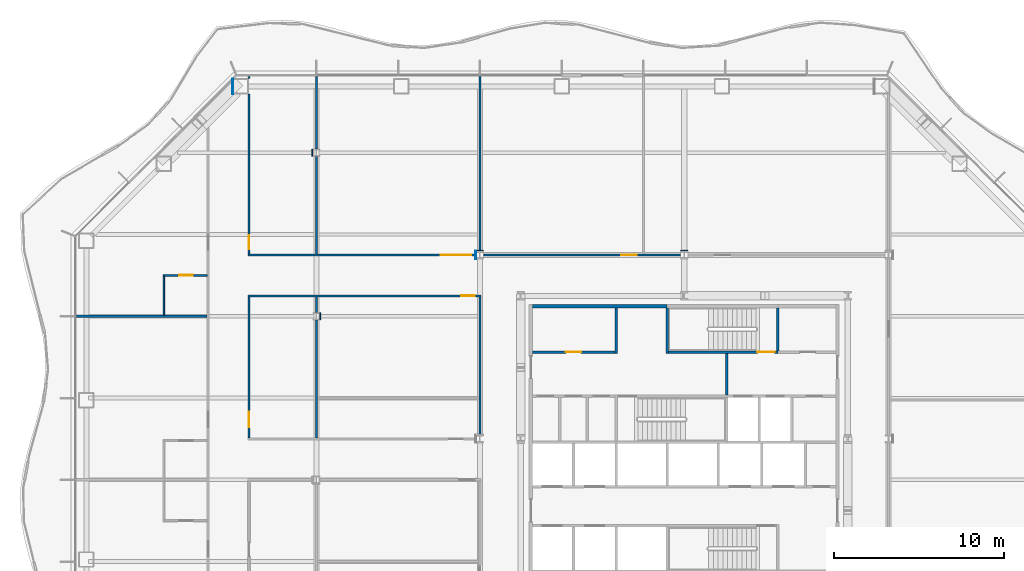
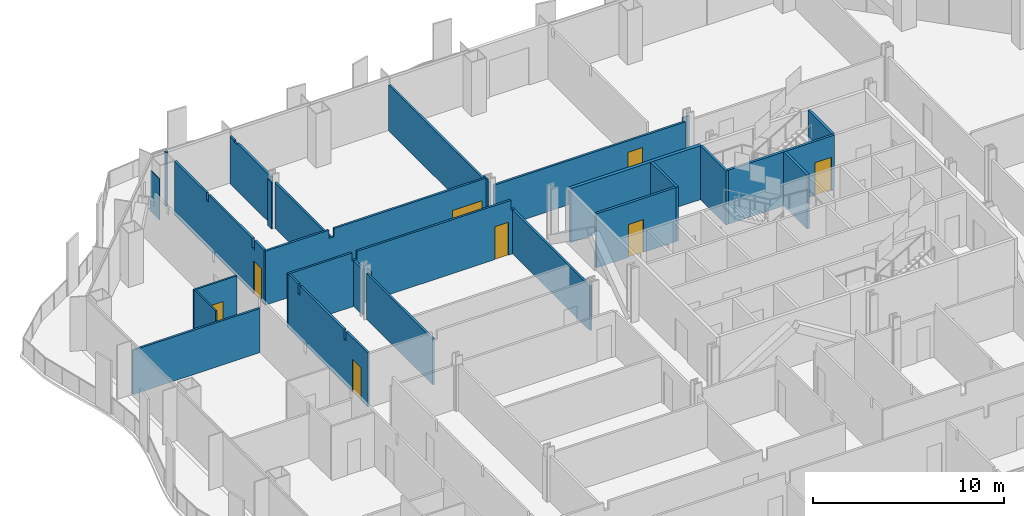
# One storey, part 10 of 18: 28 walls, 8 doors, 8 openings.
"""IFC4 building model written with IfcOpenShell, lengths in metres."""

from ifc_helpers import new_model, si_unit, direction, frame, frame_2d, origin, place, context, subcontext, project, spatial, polyline, rectangle, outline, extrude, material, layer, layer_set, type_object, element, fill, save


model = new_model("IFC4")

# Units and contexts
model_context = context("Model", 3, precision=1e-05, world=origin(), true_north=direction((0.0, 1.0)))
body_context = subcontext(model_context, "Body", "Model", "MODEL_VIEW")
ifc_project = project(units=[si_unit("LENGTHUNIT", "METRE"), si_unit("AREAUNIT", "SQUARE_METRE"), si_unit("VOLUMEUNIT", "CUBIC_METRE"), si_unit("PLANEANGLEUNIT", "RADIAN"), si_unit("MASSUNIT", "GRAM", prefix="KILO")], contexts=[model_context])

# Site, building, storey
site_placement = place(None, origin())
site = spatial("IfcSite", under=ifc_project, at=site_placement, CompositionType="ELEMENT")
building_placement = place(site_placement, origin())
building = spatial("IfcBuilding", under=site, at=building_placement, Name="Cairn Pilgrim Tower", CompositionType="ELEMENT")
storey_placement = place(building_placement, frame((0.0, 0.0, 76.199951171875)))
storey = spatial("IfcBuildingStorey", under=building, at=storey_placement, Name="L17", CompositionType="ELEMENT", Elevation=76.199951171875)

# Wall
ifc_material_1 = material(Name="Concrete C32/40", Category="concrete")
ifc_layer_1 = layer(ifc_material_1, 0.199951171875)
ifc_layer_set_1 = layer_set([ifc_layer_1], Name="CORE OUTER WALL 200 EI 120")
wall_type_1 = type_object("IfcWallType", Name="CORE OUTER WALL 200 EI 120", PredefinedType="SOLIDWALL", material=ifc_layer_set_1)
wall_1_placement = place(storey_placement, frame((-1.699951171875, 10.199951171875, 0.0), z_axis=(0.0, 0.0, 1.0), x_axis=(1.0, 0.0, 0.0)))
element("IfcWall", 1, at=wall_1_placement, inside=storey, type_object=wall_type_1, Name="CW:L17:H11-1", PredefinedType="SOLIDWALL", context=body_context, shape_type="SweptSolid", body=[
    extrude(rectangle(XDim=7.89990234375, YDim=0.199951171875, at=frame_2d((3.949951171875, 0.0))), origin(), (0.0, 0.0, 1.0), 3.449951171875),
])

# Wall, opening, door
ifc_layer_2 = layer(ifc_material_1, 0.14990234375)
ifc_layer_set_2 = layer_set([ifc_layer_2], Name="CORE PARTITION 150 EI 60")
wall_type_2 = type_object("IfcWallType", Name="CORE PARTITION 150 EI 60", PredefinedType="PARTITIONING", material=ifc_layer_set_2)
wall_2_placement = place(storey_placement, frame((-1.699951171875, 7.5, 0.0), z_axis=(0.0, 0.0, 1.0), x_axis=(1.0, 0.0, 0.0)))
wall_2 = element("IfcWall", 2, at=wall_2_placement, inside=storey, type_object=wall_type_2, Name="CW:L17:H09", PredefinedType="PARTITIONING", context=body_context, shape_type="SweptSolid", body=[
    extrude(rectangle(XDim=4.824951171875, YDim=0.14990234375, at=frame_2d((2.41259765625, 0.0))), origin(), (0.0, 0.0, 1.0), 3.449951171875),
])
opening_1_placement = place(wall_2_placement, frame((1.949951171875, 0.0, 0.0)))
opening_1 = element("IfcOpeningElement", 3, at=opening_1_placement, cuts=wall_2, Name="Opening RD-R4W1", PredefinedType="OPENING", context=body_context, shape_type="SweptSolid", body=[
    extrude(rectangle(XDim=0.89990234375, YDim=2.10009765625, at=frame_2d((0.449951171875, 1.050048828125))), frame((0.0, 0.0849609375, 0.0), z_axis=(0.0, -1.0, 0.0), x_axis=(1.0, 0.0, 0.0)), (0.0, 0.0, 1.0), 0.169921875),
])
ifc_material_2 = material(Name="Painted steel", Category="steel")
door_type_1 = type_object("IfcDoorType", Name="SERVICE ROOM DOOR 900x2100", OperationType="SINGLE_SWING_LEFT", PredefinedType="DOOR", material=ifc_material_2)
door_1_placement = place(opening_1_placement, origin())
door_1 = element("IfcDoor", 4, at=door_1_placement, inside=storey, type_object=door_type_1, Name="RD-R4W1", OperationType="SINGLE_SWING_LEFT", OverallHeight=2.10009765625, OverallWidth=0.89990234375, PredefinedType="DOOR", context=body_context, shape_type="SweptSolid", body=[
    extrude(rectangle(XDim=0.89990234375, YDim=2.10009765625, at=frame_2d((0.449951171875, 1.050048828125))), frame((0.0, 0.02490234375, 0.0), z_axis=(0.0, -1.0, 0.0), x_axis=(1.0, 0.0, 0.0)), (0.0, 0.0, 1.0), 0.050048828125),
])
fill(opening_1, door_1)

# Walls
wall_3_placement = place(storey_placement, frame((3.199951171875, 7.425048828125, 0.0), z_axis=(0.0, 0.0, 1.0), x_axis=(0.0, 1.0, 0.0)))
element("IfcWall", 5, at=wall_3_placement, inside=storey, type_object=wall_type_2, Name="CW:L17:V20", PredefinedType="PARTITIONING", context=body_context, shape_type="SweptSolid", body=[
    extrude(rectangle(XDim=2.675048828125, YDim=0.14990234375, at=frame_2d((1.33740234375, 0.0))), origin(), (0.0, 0.0, 1.0), 3.449951171875),
])
ifc_layer_3 = layer(ifc_material_1, 0.14990234375)
ifc_layer_set_3 = layer_set([ifc_layer_3], Name="CORE SHAFT WALL 150 EI 120")
wall_type_3 = type_object("IfcWallType", Name="CORE SHAFT WALL 150 EI 120", PredefinedType="SOLIDWALL", material=ifc_layer_set_3)
wall_4_placement = place(storey_placement, frame((9.699951171875, 4.97509765625, 0.0), z_axis=(0.0, 0.0, 1.0), x_axis=(0.0, 1.0, 0.0)))
element("IfcWall", 6, at=wall_4_placement, inside=storey, type_object=wall_type_3, Name="CW:L17:V26", PredefinedType="SOLIDWALL", context=body_context, shape_type="SweptSolid", body=[
    extrude(rectangle(XDim=2.449951171875, YDim=0.14990234375, at=frame_2d((1.22509765625, 0.0))), origin(), (0.0, 0.0, 1.0), 3.449951171875),
])
ifc_material_3 = material(Name="Gypsum partition")
ifc_layer_4 = layer(ifc_material_3, 0.10009765625)
ifc_layer_set_4 = layer_set([ifc_layer_4], Name="PARTITION 100 DRYWALL")
wall_type_4 = type_object("IfcWallType", Name="PARTITION 100 DRYWALL", PredefinedType="PARTITIONING", material=ifc_layer_set_4)
wall_5_placement = place(storey_placement, frame((-23.35009765625, 9.66259765625, 0.0), z_axis=(0.0, 0.0, 1.0), x_axis=(0.0, 1.0, 0.0)))
element("IfcWall", 7, at=wall_5_placement, inside=storey, type_object=wall_type_4, Name="PARTITION W050", PredefinedType="PARTITIONING", context=body_context, shape_type="SweptSolid", body=[
    extrude(outline(polyline([(0.0, 0.0), (2.287353515625, 0.0), (2.28759765625, 3.449951171875), (0.047607421875, 3.449951171875), (0.04541015625, 2.830078125), (0.0, 2.830078125), (0.0, 0.0)])), frame((0.0, 0.050048828125, 0.0), z_axis=(0.0, -1.0, 0.0), x_axis=(1.0, 0.0, 0.0)), (0.0, 0.0, 1.0), 0.10009765625),
])

# Wall, opening, door
wall_6_placement = place(storey_placement, frame((-23.39990234375, 12.0, 0.0), z_axis=(0.0, 0.0, 1.0), x_axis=(1.0, 0.0, 0.0)))
wall_6 = element("IfcWall", 8, at=wall_6_placement, inside=storey, type_object=wall_type_4, Name="PARTITION W053", PredefinedType="PARTITIONING", context=body_context, shape_type="SweptSolid", body=[
    extrude(rectangle(XDim=2.58740234375, YDim=0.10009765625, at=frame_2d((1.293701171875, 0.0))), origin(), (0.0, 0.0, 1.0), 3.449951171875),
])
opening_2_placement = place(wall_6_placement, frame((0.949951171875, 0.0, 0.0)))
opening_2 = element("IfcOpeningElement", 9, at=opening_2_placement, cuts=wall_6, Name="Opening 1709E", PredefinedType="OPENING", context=body_context, shape_type="SweptSolid", body=[
    extrude(rectangle(XDim=0.800048828125, YDim=2.10009765625, at=frame_2d((0.39990234375, 1.050048828125))), frame((0.0, 0.06005859375, 0.0), z_axis=(0.0, -1.0, 0.0), x_axis=(1.0, 0.0, 0.0)), (0.0, 0.0, 1.0), 0.1201171875),
])
ifc_material_4 = material(Name="Timber door leaf", Category="wood")
door_type_2 = type_object("IfcDoorType", Name="DOOR 800x2100", OperationType="NOTDEFINED", PredefinedType="DOOR", material=ifc_material_4)
door_2_placement = place(opening_2_placement, frame((0.800048828125, 0.0, 0.0), z_axis=(0.0, 0.0, 1.0), x_axis=(-1.0, 0.0, 0.0)))
door_2 = element("IfcDoor", 10, at=door_2_placement, inside=storey, type_object=door_type_2, Name="DOOR 1709E", OperationType="SINGLE_SWING_RIGHT", OverallHeight=2.10009765625, OverallWidth=0.800048828125, PredefinedType="DOOR", context=body_context, shape_type="SweptSolid", body=[
    extrude(rectangle(XDim=0.800048828125, YDim=2.10009765625, at=frame_2d((0.39990234375, 1.050048828125))), frame((0.0, 0.02490234375, 0.0), z_axis=(0.0, -1.0, 0.0), x_axis=(1.0, 0.0, 0.0)), (0.0, 0.0, 1.0), 0.050048828125),
])
fill(opening_2, door_2)

ifc_layer_5 = layer(ifc_material_3, 0.125)
ifc_layer_set_5 = layer_set([ifc_layer_5], Name="PARTITION 125 DRYWALL EI 60")
wall_type_5 = type_object("IfcWallType", Name="PARTITION 125 DRYWALL EI 60", PredefinedType="PARTITIONING", material=ifc_layer_set_5)
wall_7_placement = place(storey_placement, frame((-18.35009765625, 2.46240234375, 0.0), z_axis=(0.0, 0.0, 1.0), x_axis=(0.0, 1.0, 0.0)))
wall_7 = element("IfcWall", 11, at=wall_7_placement, inside=storey, type_object=wall_type_5, Name="PARTITION W043", PredefinedType="PARTITIONING", context=body_context, shape_type="SweptSolid", body=[
    extrude(outline(polyline([(0.0, 0.0), (8.275146484375, 0.0), (8.27490234375, 3.449951171875), (7.24755859375, 3.449951171875), (7.24560546875, 2.830078125), (7.027587890625, 2.830078125), (7.025390625, 3.449951171875), (2.447509765625, 3.449951171875), (2.445556640625, 2.830078125), (2.2275390625, 2.830078125), (2.2255859375, 3.449951171875), (0.0, 3.449951171875), (0.0, 0.0)])), frame((0.0, 0.0625, 0.0), z_axis=(0.0, -1.0, 0.0), x_axis=(1.0, 0.0, 0.0)), (0.0, 0.0, 1.0), 0.125),
])
opening_3_placement = place(wall_7_placement, frame((0.637451171875, 0.0, 0.0)))
opening_3 = element("IfcOpeningElement", 12, at=opening_3_placement, cuts=wall_7, Name="Opening 1723", PredefinedType="OPENING", context=body_context, shape_type="SweptSolid", body=[
    extrude(rectangle(XDim=0.89990234375, YDim=2.10009765625, at=frame_2d((0.449951171875, 1.050048828125))), frame((0.0, 0.072509765625, 0.0), z_axis=(0.0, -1.0, 0.0), x_axis=(1.0, 0.0, 0.0)), (0.0, 0.0, 1.0), 0.14501953125),
])
ifc_material_5 = material(Name="Steel-faced fire door leaf", Category="steel")
door_type_3 = type_object("IfcDoorType", Name="FIRE DOOR 900x2100 FD30S", OperationType="NOTDEFINED", PredefinedType="DOOR", material=ifc_material_5)
door_3_placement = place(opening_3_placement, frame((0.89990234375, 0.0, 0.0), z_axis=(0.0, 0.0, 1.0), x_axis=(-1.0, 0.0, 0.0)))
door_3 = element("IfcDoor", 13, at=door_3_placement, inside=storey, type_object=door_type_3, Name="DOOR 1723", OperationType="SINGLE_SWING_RIGHT", OverallHeight=2.10009765625, OverallWidth=0.89990234375, PredefinedType="DOOR", context=body_context, shape_type="SweptSolid", body=[
    extrude(rectangle(XDim=0.89990234375, YDim=2.10009765625, at=frame_2d((0.449951171875, 1.050048828125))), frame((0.0, 0.02490234375, 0.0), z_axis=(0.0, -1.0, 0.0), x_axis=(1.0, 0.0, 0.0)), (0.0, 0.0, 1.0), 0.050048828125),
])
fill(opening_3, door_3)

# Walls
wall_8_placement = place(storey_placement, frame((-14.39990234375, 2.46240234375, 0.0), z_axis=(0.0, 0.0, 1.0), x_axis=(0.0, 1.0, 0.0)))
element("IfcWall", 14, at=wall_8_placement, inside=storey, type_object=wall_type_5, Name="PARTITION W044", PredefinedType="PARTITIONING", context=body_context, shape_type="SweptSolid", body=[
    extrude(rectangle(XDim=6.925048828125, YDim=0.125, at=frame_2d((3.46240234375, 0.0))), origin(), (0.0, 0.0, 1.0), 2.929931640625),
])
wall_9_placement = place(storey_placement, frame((-4.800048828125, 2.636962890625, 0.0), z_axis=(0.0, 0.0, 1.0), x_axis=(0.0, 1.0, 0.0)))
element("IfcWall", 15, at=wall_9_placement, inside=storey, type_object=wall_type_5, Name="PARTITION W045", PredefinedType="PARTITIONING", context=body_context, shape_type="SweptSolid", body=[
    extrude(rectangle(XDim=8.1005859375, YDim=0.125, at=frame_2d((4.05029296875, 0.0))), origin(), (0.0, 0.0, 1.0), 2.830078125),
])
wall_10_placement = place(storey_placement, frame((-28.489990234375, 9.60009765625, 0.0), z_axis=(0.0, 0.0, 1.0), x_axis=(1.0, 0.0, 0.0)))
element("IfcWall", 16, at=wall_10_placement, inside=storey, type_object=wall_type_5, Name="PARTITION W049", PredefinedType="PARTITIONING", context=body_context, shape_type="SweptSolid", body=[
    extrude(rectangle(XDim=7.677490234375, YDim=0.125, at=frame_2d((3.8388671875, 0.0))), origin(), (0.0, 0.0, 1.0), 2.830078125),
])
wall_11_placement = place(storey_placement, frame((-14.39990234375, 9.8125, 0.0), z_axis=(0.0, 0.0, 1.0), x_axis=(0.0, 1.0, 0.0)))
element("IfcWall", 17, at=wall_11_placement, inside=storey, type_object=wall_type_5, Name="PARTITION W051", PredefinedType="PARTITIONING", context=body_context, shape_type="SweptSolid", body=[
    extrude(rectangle(XDim=0.925048828125, YDim=0.125, at=frame_2d((0.46240234375, 0.0))), origin(), (0.0, 0.0, 1.0), 2.929931640625),
])

# Wall, opening, door
wall_12_placement = place(storey_placement, frame((-18.41259765625, 10.800048828125, 0.0), z_axis=(0.0, 0.0, 1.0), x_axis=(1.0, 0.0, 0.0)))
wall_12 = element("IfcWall", 18, at=wall_12_placement, inside=storey, type_object=wall_type_5, Name="PARTITION W052", PredefinedType="PARTITIONING", context=body_context, shape_type="SweptSolid", body=[
    extrude(outline(polyline([(0.0, 0.0), (13.675048828125, 0.0), (13.675048828125, 2.830078125), (13.46240234375, 2.830078125), (13.46044921875, 3.449951171875), (4.16259765625, 3.449951171875), (4.160400390625, 2.929931640625), (3.862548828125, 2.929931640625), (3.860595703125, 3.449951171875), (0.0, 3.449951171875), (0.0, 0.0)])), frame((0.0, 0.0625, 0.0), z_axis=(0.0, -1.0, 0.0), x_axis=(1.0, 0.0, 0.0)), (0.0, 0.0, 1.0), 0.125),
])
opening_4_placement = place(wall_12_placement, frame((12.512451171875, 0.0, 0.0)))
opening_4 = element("IfcOpeningElement", 19, at=opening_4_placement, cuts=wall_12, Name="Opening 1721", PredefinedType="OPENING", context=body_context, shape_type="SweptSolid", body=[
    extrude(rectangle(XDim=0.800048828125, YDim=2.10009765625, at=frame_2d((0.39990234375, 1.050048828125))), frame((0.0, 0.072509765625, 0.0), z_axis=(0.0, -1.0, 0.0), x_axis=(1.0, 0.0, 0.0)), (0.0, 0.0, 1.0), 0.14501953125),
])
door_type_4 = type_object("IfcDoorType", Name="FIRE DOOR 800x2100 FD30S", OperationType="NOTDEFINED", PredefinedType="DOOR", material=ifc_material_5)
door_4_placement = place(opening_4_placement, frame((0.800048828125, 0.0, 0.0), z_axis=(0.0, 0.0, 1.0), x_axis=(-1.0, 0.0, 0.0)))
door_4 = element("IfcDoor", 20, at=door_4_placement, inside=storey, type_object=door_type_4, Name="DOOR 1721", OperationType="SINGLE_SWING_RIGHT", OverallHeight=2.10009765625, OverallWidth=0.800048828125, PredefinedType="DOOR", context=body_context, shape_type="SweptSolid", body=[
    extrude(rectangle(XDim=0.800048828125, YDim=2.10009765625, at=frame_2d((0.39990234375, 1.050048828125))), frame((0.0, 0.02490234375, 0.0), z_axis=(0.0, -1.0, 0.0), x_axis=(1.0, 0.0, 0.0)), (0.0, 0.0, 1.0), 0.050048828125),
])
fill(opening_4, door_4)

wall_13_placement = place(storey_placement, frame((-18.41259765625, 13.199951171875, 0.0), z_axis=(0.0, 0.0, 1.0), x_axis=(1.0, 0.0, 0.0)))
wall_13 = element("IfcWall", 21, at=wall_13_placement, inside=storey, type_object=wall_type_5, Name="PARTITION W054", PredefinedType="PARTITIONING", context=body_context, shape_type="SweptSolid", body=[
    extrude(outline(polyline([(0.0, 0.0), (13.400634765625, 0.0), (13.400390625, 3.449951171875), (4.16259765625, 3.449951171875), (4.160400390625, 2.929931640625), (3.862548828125, 2.929931640625), (3.860595703125, 3.449951171875), (0.0, 3.449951171875), (0.0, 0.0)])), frame((0.0, 0.0625, 0.0), z_axis=(0.0, -1.0, 0.0), x_axis=(1.0, 0.0, 0.0)), (0.0, 0.0, 1.0), 0.125),
])
opening_5_placement = place(wall_13_placement, frame((11.3125, 0.0, 0.0)))
opening_5 = element("IfcOpeningElement", 22, at=opening_5_placement, cuts=wall_13, Name="Opening 1711", PredefinedType="OPENING", context=body_context, shape_type="SweptSolid", body=[
    extrude(rectangle(XDim=1.800048828125, YDim=2.10009765625, at=frame_2d((0.89990234375, 1.050048828125))), frame((0.0, 0.072509765625, 0.0), z_axis=(0.0, -1.0, 0.0), x_axis=(1.0, 0.0, 0.0)), (0.0, 0.0, 1.0), 0.14501953125),
])
door_type_5 = type_object("IfcDoorType", Name="DOOR PAIR 1800x2100 FD30S", OperationType="NOTDEFINED", PredefinedType="DOOR", material=ifc_material_4)
door_5_placement = place(opening_5_placement, origin())
door_5 = element("IfcDoor", 23, at=door_5_placement, inside=storey, type_object=door_type_5, Name="DOOR 1711", OperationType="DOUBLE_DOOR_SINGLE_SWING", OverallHeight=2.10009765625, OverallWidth=1.800048828125, PredefinedType="DOOR", context=body_context, shape_type="SweptSolid", body=[
    extrude(rectangle(XDim=1.800048828125, YDim=2.10009765625, at=frame_2d((0.89990234375, 1.050048828125))), frame((0.0, 0.02490234375, 0.0), z_axis=(0.0, -1.0, 0.0), x_axis=(1.0, 0.0, 0.0)), (0.0, 0.0, 1.0), 0.050048828125),
])
fill(opening_5, door_5)

wall_14_placement = place(storey_placement, frame((-4.587890625, 13.199951171875, 0.0), z_axis=(0.0, 0.0, 1.0), x_axis=(1.0, 0.0, 0.0)))
wall_14 = element("IfcWall", 24, at=wall_14_placement, inside=storey, type_object=wall_type_5, Name="PARTITION W055", PredefinedType="PARTITIONING", context=body_context, shape_type="SweptSolid", body=[
    extrude(rectangle(XDim=11.575927734375, YDim=0.125, at=frame_2d((5.7880859375, 0.0))), origin(), (0.0, 0.0, 1.0), 2.830078125),
])
opening_6_placement = place(wall_14_placement, frame((8.087890625, 0.0, 0.0)))
opening_6 = element("IfcOpeningElement", 25, at=opening_6_placement, cuts=wall_14, Name="Opening 1712", PredefinedType="OPENING", context=body_context, shape_type="SweptSolid", body=[
    extrude(rectangle(XDim=0.89990234375, YDim=2.10009765625, at=frame_2d((0.449951171875, 1.050048828125))), frame((0.0, 0.072509765625, 0.0), z_axis=(0.0, -1.0, 0.0), x_axis=(1.0, 0.0, 0.0)), (0.0, 0.0, 1.0), 0.14501953125),
])
door_6_placement = place(opening_6_placement, origin())
door_6 = element("IfcDoor", 26, at=door_6_placement, inside=storey, type_object=door_type_3, Name="DOOR 1712", OperationType="SINGLE_SWING_LEFT", OverallHeight=2.10009765625, OverallWidth=0.89990234375, PredefinedType="DOOR", context=body_context, shape_type="SweptSolid", body=[
    extrude(rectangle(XDim=0.89990234375, YDim=2.10009765625, at=frame_2d((0.449951171875, 1.050048828125))), frame((0.0, 0.02490234375, 0.0), z_axis=(0.0, -1.0, 0.0), x_axis=(1.0, 0.0, 0.0)), (0.0, 0.0, 1.0), 0.050048828125),
])
fill(opening_6, door_6)

wall_15_placement = place(storey_placement, frame((-18.35009765625, 13.262451171875, 0.0), z_axis=(0.0, 0.0, 1.0), x_axis=(0.0, 1.0, 0.0)))
wall_15 = element("IfcWall", 27, at=wall_15_placement, inside=storey, type_object=wall_type_5, Name="PARTITION W057", PredefinedType="PARTITIONING", context=body_context, shape_type="SweptSolid", body=[
    extrude(outline(polyline([(0.0, 0.0), (9.387451171875, 0.0), (9.387451171875, 3.449951171875), (6.032470703125, 3.449951171875), (6.030517578125, 2.97998046875), (5.842529296875, 2.97998046875), (5.840576171875, 3.449951171875), (1.24755859375, 3.449951171875), (1.24560546875, 2.830078125), (1.027587890625, 2.830078125), (1.025390625, 3.449951171875), (0.0, 3.449951171875), (0.0, 0.0)])), frame((0.0, 0.0625, 0.0), z_axis=(0.0, -1.0, 0.0), x_axis=(1.0, 0.0, 0.0)), (0.0, 0.0, 1.0), 0.125),
])
opening_7_placement = place(wall_15_placement, frame((0.28759765625, 0.0, 0.0)))
opening_7 = element("IfcOpeningElement", 28, at=opening_7_placement, cuts=wall_15, Name="Opening 1710", PredefinedType="OPENING", context=body_context, shape_type="SweptSolid", body=[
    extrude(rectangle(XDim=0.800048828125, YDim=2.10009765625, at=frame_2d((0.39990234375, 1.050048828125))), frame((0.0, 0.072509765625, 0.0), z_axis=(0.0, -1.0, 0.0), x_axis=(1.0, 0.0, 0.0)), (0.0, 0.0, 1.0), 0.14501953125),
])
door_7_placement = place(opening_7_placement, frame((0.800048828125, 0.0, 0.0), z_axis=(0.0, 0.0, 1.0), x_axis=(-1.0, 0.0, 0.0)))
door_7 = element("IfcDoor", 29, at=door_7_placement, inside=storey, type_object=door_type_4, Name="DOOR 1710", OperationType="SINGLE_SWING_LEFT", OverallHeight=2.10009765625, OverallWidth=0.800048828125, PredefinedType="DOOR", context=body_context, shape_type="SweptSolid", body=[
    extrude(rectangle(XDim=0.800048828125, YDim=2.10009765625, at=frame_2d((0.39990234375, 1.050048828125))), frame((0.0, 0.02490234375, 0.0), z_axis=(0.0, -1.0, 0.0), x_axis=(1.0, 0.0, 0.0)), (0.0, 0.0, 1.0), 0.050048828125),
])
fill(opening_7, door_7)

# Walls
wall_16_placement = place(storey_placement, frame((-14.39990234375, 13.262451171875, 0.0), z_axis=(0.0, 0.0, 1.0), x_axis=(0.0, 1.0, 0.0)))
element("IfcWall", 30, at=wall_16_placement, inside=storey, type_object=wall_type_5, Name="PARTITION W058", PredefinedType="PARTITIONING", context=body_context, shape_type="SweptSolid", body=[
    extrude(rectangle(XDim=5.72509765625, YDim=0.125, at=frame_2d((2.862548828125, 0.0))), origin(), (0.0, 0.0, 1.0), 2.929931640625),
])
wall_17_placement = place(storey_placement, frame((-4.800048828125, 13.43701171875, 0.0), z_axis=(0.0, 0.0, 1.0), x_axis=(0.0, 1.0, 0.0)))
element("IfcWall", 31, at=wall_17_placement, inside=storey, type_object=wall_type_5, Name="PARTITION W060", PredefinedType="PARTITIONING", context=body_context, shape_type="SweptSolid", body=[
    extrude(rectangle(XDim=10.2529296875, YDim=0.125, at=frame_2d((5.12646484375, 0.0))), origin(), (0.0, 0.0, 1.0), 2.929931640625),
])
wall_18_placement = place(storey_placement, frame((-14.39990234375, 19.41259765625, 0.0), z_axis=(0.0, 0.0, 1.0), x_axis=(0.0, 1.0, 0.0)))
element("IfcWall", 32, at=wall_18_placement, inside=storey, type_object=wall_type_5, Name="PARTITION W062", PredefinedType="PARTITIONING", context=body_context, shape_type="SweptSolid", body=[
    extrude(outline(polyline([(0.0, 0.0), (4.27734375, 0.0), (4.277587890625, 3.030029296875), (3.83740234375, 3.030029296875), (3.83544921875, 2.929931640625), (3.53759765625, 2.929931640625), (3.535400390625, 3.030029296875), (0.0, 3.030029296875), (0.0, 0.0)])), frame((0.0, 0.0625, 0.0), z_axis=(0.0, -1.0, 0.0), x_axis=(1.0, 0.0, 0.0)), (0.0, 0.0, 1.0), 0.125),
])
wall_19_placement = place(storey_placement, frame((-18.35009765625, 23.550048828125, 0.0), z_axis=(0.0, 0.0, 1.0), x_axis=(0.0, 1.0, 0.0)))
element("IfcWall", 33, at=wall_19_placement, inside=storey, type_object=wall_type_5, Name="PARTITION W063", PredefinedType="PARTITIONING", context=body_context, shape_type="SweptSolid", body=[
    extrude(rectangle(XDim=0.139892578125, YDim=0.125, at=frame_2d((0.06982421875, 0.0))), origin(), (0.0, 0.0, 1.0), 3.449951171875),
])
ifc_layer_6 = layer(ifc_material_3, 0.050048828125)
ifc_layer_set_6 = layer_set([ifc_layer_6], Name="PARTITION 50 DRYWALL EI 60")
wall_type_6 = type_object("IfcWallType", Name="PARTITION 50 DRYWALL EI 60", PredefinedType="PARTITIONING", material=ifc_layer_set_6)
wall_20_placement = place(storey_placement, frame((-14.17041015625, 9.387451171875, 0.0), z_axis=(0.0, 0.0, 1.0), x_axis=(0.0, 1.0, 0.0)))
element("IfcWall", 34, at=wall_20_placement, inside=storey, type_object=wall_type_6, Name="COLUMN CASING WC16", PredefinedType="PARTITIONING", context=body_context, shape_type="SweptSolid", body=[
    extrude(rectangle(XDim=0.425048828125, YDim=0.050048828125, at=frame_2d((0.21240234375, 0.0))), origin(), (0.0, 0.0, 1.0), 2.929931640625),
])
for number, where, z_axis, x_axis, name in (
    (35, (-5.011962890625, 13.4619140625, 0.0), (0.0, 0.0, 1.0), (1.0, 0.0, 0.0), "COLUMN CASING WC20"),
    (36, (6.988037109375, 13.4619140625, 0.0), (0.0, 0.0, 1.0), (1.0, 0.0, 0.0), "COLUMN CASING WC21"),
):
    element("IfcWall", number, at=place(storey_placement, frame(where, z_axis=z_axis, x_axis=x_axis)), inside=storey, type_object=wall_type_6, Name=name, PredefinedType="PARTITIONING", context=body_context, shape_type="SweptSolid", body=[
        extrude(rectangle(XDim=0.424072265625, YDim=0.050048828125, at=frame_2d((0.2119140625, 0.0))), origin(), (0.0, 0.0, 1.0), 2.929931640625),
    ])
wall_21_placement = place(storey_placement, frame((-19.30224609375, 22.64990234375, 0.0), z_axis=(0.0, 0.0, 1.0), x_axis=(0.0, 1.0, 0.0)))
element("IfcWall", 37, at=wall_21_placement, inside=storey, type_object=wall_type_6, Name="COLUMN CASING WC24", PredefinedType="PARTITIONING", context=body_context, shape_type="SweptSolid", body=[
    extrude(rectangle(XDim=0.900146484375, YDim=0.050048828125, at=frame_2d((0.4501953125, 0.0))), origin(), (0.0, 0.0, 1.0), 2.630126953125),
])
wall_22_placement = place(storey_placement, frame((-14.62939453125, 18.987548828125, 0.0), z_axis=(0.0, 0.0, 1.0), x_axis=(0.0, 1.0, 0.0)))
element("IfcWall", 38, at=wall_22_placement, inside=storey, type_object=wall_type_6, Name="COLUMN CASING WC25", PredefinedType="PARTITIONING", context=body_context, shape_type="SweptSolid", body=[
    extrude(rectangle(XDim=0.425048828125, YDim=0.050048828125, at=frame_2d((0.21240234375, 0.0))), origin(), (0.0, 0.0, 1.0), 2.97998046875),
])
wall_23_placement = place(storey_placement, frame((-5.037109375, 12.962890625, 0.0), z_axis=(0.0, 0.0, 1.0), x_axis=(0.0, 1.0, 0.0)))
element("IfcWall", 39, at=wall_23_placement, inside=storey, type_object=wall_type_6, Name="COLUMN CASING WC26", PredefinedType="PARTITIONING", context=body_context, shape_type="SweptSolid", body=[
    extrude(rectangle(XDim=0.47412109375, YDim=0.050048828125, at=frame_2d((0.237060546875, 0.0))), origin(), (0.0, 0.0, 1.0), 3.449951171875),
])

# Wall, opening, door
ifc_material_6 = material(Name="Concrete C35/45", Category="concrete")
ifc_layer_7 = layer(ifc_material_6, 0.14990234375)
ifc_layer_set_7 = layer_set([ifc_layer_7], Name="STAIR SHAFT WALL 150 EI 120")
wall_type_7 = type_object("IfcWallType", Name="STAIR SHAFT WALL 150 EI 120", PredefinedType="SOLIDWALL", material=ifc_layer_set_7)
wall_24_placement = place(storey_placement, frame((6.27490234375, 7.5, 0.0), z_axis=(0.0, 0.0, 1.0), x_axis=(1.0, 0.0, 0.0)))
wall_24 = element("IfcWall", 40, at=wall_24_placement, inside=storey, type_object=wall_type_7, Name="CW:L17:H10-1", PredefinedType="SOLIDWALL", context=body_context, shape_type="SweptSolid", body=[
    extrude(rectangle(XDim=6.425048828125, YDim=0.14990234375, at=frame_2d((3.21240234375, 0.0))), origin(), (0.0, 0.0, 1.0), 3.449951171875),
])
opening_8_placement = place(wall_24_placement, frame((5.22509765625, 0.0, 0.0)))
opening_8 = element("IfcOpeningElement", 41, at=opening_8_placement, cuts=wall_24, Name="Opening SD-C", PredefinedType="OPENING", context=body_context, shape_type="SweptSolid", body=[
    extrude(rectangle(XDim=1.0, YDim=2.10009765625, at=frame_2d((0.5, 1.050048828125))), frame((0.0, 0.0849609375, 0.0), z_axis=(0.0, -1.0, 0.0), x_axis=(1.0, 0.0, 0.0)), (0.0, 0.0, 1.0), 0.169921875),
])
door_type_6 = type_object("IfcDoorType", Name="STAIR DOOR FD60S 1000x2100", OperationType="SINGLE_SWING_LEFT", PredefinedType="DOOR", material=ifc_material_2)
door_8_placement = place(opening_8_placement, origin())
door_8 = element("IfcDoor", 42, at=door_8_placement, inside=storey, type_object=door_type_6, Name="SD-C", OperationType="SINGLE_SWING_RIGHT", OverallHeight=2.10009765625, OverallWidth=1.0, PredefinedType="DOOR", context=body_context, shape_type="SweptSolid", body=[
    extrude(rectangle(XDim=1.0, YDim=2.10009765625, at=frame_2d((0.5, 1.050048828125))), frame((0.0, 0.02490234375, 0.0), z_axis=(0.0, -1.0, 0.0), x_axis=(1.0, 0.0, 0.0)), (0.0, 0.0, 1.0), 0.050048828125),
])
fill(opening_8, door_8)

# Walls
wall_25_placement = place(storey_placement, frame((6.199951171875, 7.425048828125, 0.0), z_axis=(0.0, 0.0, 1.0), x_axis=(0.0, 1.0, 0.0)))
element("IfcWall", 43, at=wall_25_placement, inside=storey, type_object=wall_type_7, Name="CW:L17:V23", PredefinedType="SOLIDWALL", context=body_context, shape_type="SweptSolid", body=[
    extrude(rectangle(XDim=2.675048828125, YDim=0.14990234375, at=frame_2d((1.33740234375, 0.0))), origin(), (0.0, 0.0, 1.0), 3.449951171875),
])
wall_26_placement = place(storey_placement, frame((12.699951171875, 7.574951171875, 0.0), z_axis=(0.0, 0.0, 1.0), x_axis=(0.0, 1.0, 0.0)))
element("IfcWall", 44, at=wall_26_placement, inside=storey, type_object=wall_type_7, Name="CW:L17:V30", PredefinedType="SOLIDWALL", context=body_context, shape_type="SweptSolid", body=[
    extrude(rectangle(XDim=2.525146484375, YDim=0.14990234375, at=frame_2d((1.2626953125, 0.0))), origin(), (0.0, 0.0, 1.0), 3.449951171875),
])

save(model, "model.ifc")
